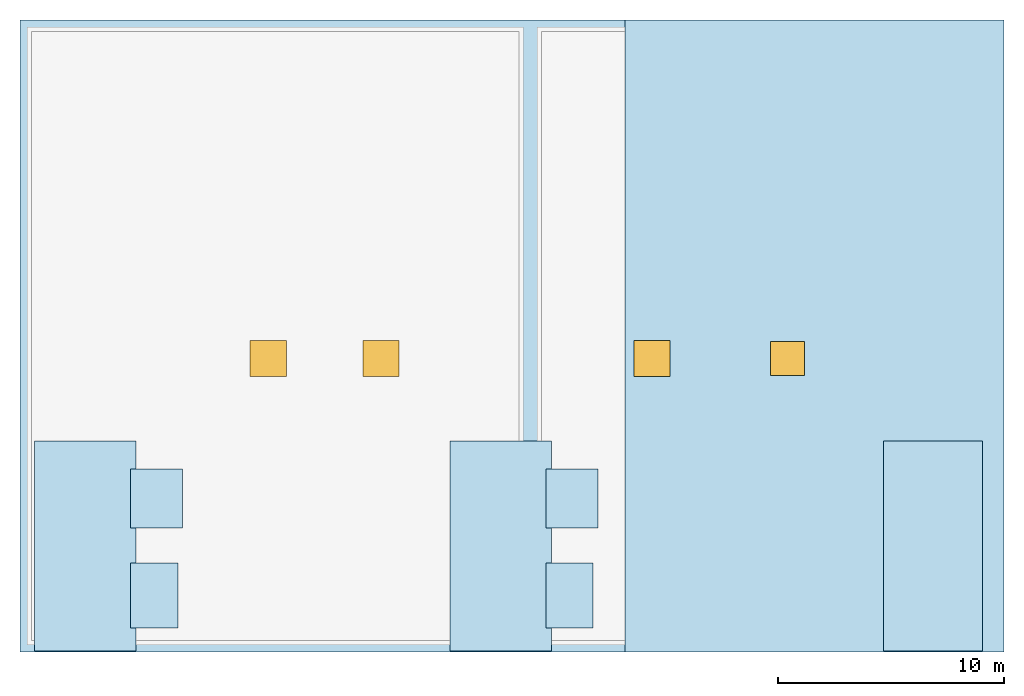
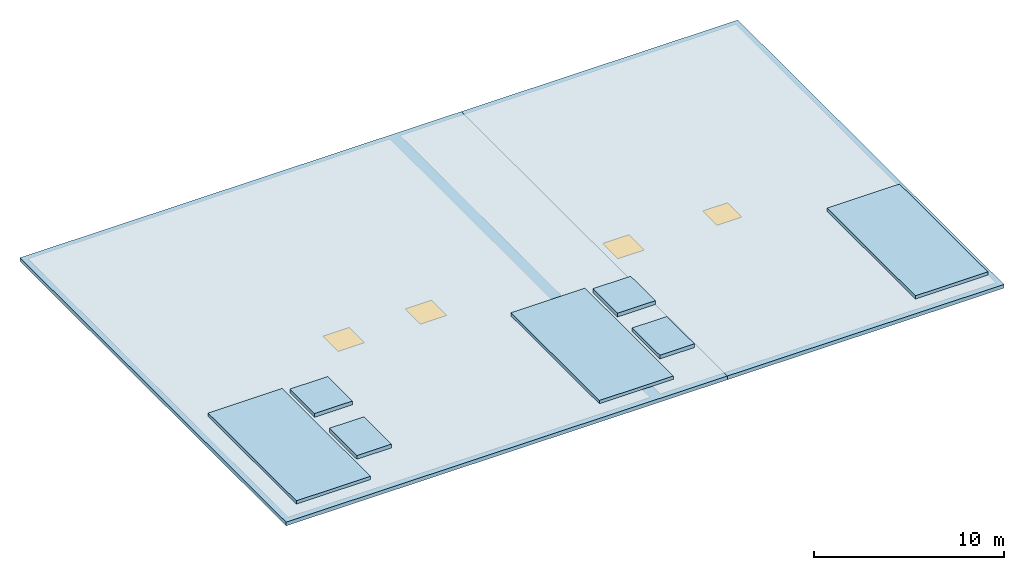
# One storey, part 1 of 2: 9 slabs, 4 windows, 4 openings.
"""IFC4 building model written with IfcOpenShell, lengths in metres."""

from ifc_helpers import new_model, si_unit, direction, frame, origin, origin_2d, place, context, subcontext, project, spatial, polyline, rectangle, outline, extrude, material, layer, layer_set, type_object, element, fill, save


model = new_model("IFC4")

# Units and contexts
model_context = context("Model", 3, precision=1e-05, world=origin(), true_north=direction((0.0, 1.0)))
body_context = subcontext(model_context, "Body", "Model", "MODEL_VIEW")
ifc_project = project(units=[si_unit("LENGTHUNIT", "METRE"), si_unit("AREAUNIT", "SQUARE_METRE"), si_unit("VOLUMEUNIT", "CUBIC_METRE"), si_unit("PLANEANGLEUNIT", "RADIAN"), si_unit("MASSUNIT", "GRAM", prefix="KILO")], contexts=[model_context])

# Site, building, storey
site_placement = place(None, origin())
site = spatial("IfcSite", under=ifc_project, at=site_placement, CompositionType="ELEMENT")
building_placement = place(site_placement, origin())
building = spatial("IfcBuilding", under=site, at=building_placement, Name="Sitalva Quay Ferry Terminal", CompositionType="ELEMENT")
storey_placement = place(building_placement, frame((0.0, 0.0, 22.800048828125)))
storey = spatial("IfcBuildingStorey", under=building, at=storey_placement, Name="RF", CompositionType="ELEMENT", Elevation=22.800048828125)

# Slab, openings, windows
ifc_material_1 = material(Name="Concrete C35/45", Category="concrete")
ifc_layer_1 = layer(ifc_material_1, 0.239990234375)
ifc_layer_set_1 = layer_set([ifc_layer_1], Name="Concrete C35/45")
slab_type_1 = type_object("IfcSlabType", Name="Slab_FlatRoof_240", PredefinedType="ROOF", material=ifc_layer_set_1)
slab_1_placement = place(storey_placement, frame((0.0, 0.0, -0.239990234375)))
slab_1 = element("IfcSlab", 1, at=slab_1_placement, inside=storey, type_object=slab_type_1, Name="RF High roof west 068", PredefinedType="ROOF", context=body_context, shape_type="SweptSolid", body=[
    extrude(outline(polyline([(74.0, 78.0), (100.800048828125, 78.0), (100.800048828125, 106.0), (74.0, 106.0), (74.0, 78.0)])), origin(), (0.0, 0.0, 1.0), 0.239990234375),
])
opening_1_placement = place(slab_1_placement, frame((85.0, 91.0, 0.0)))
opening_1 = element("IfcOpeningElement", 2, at=opening_1_placement, cuts=slab_1, Name="Opening SK-01", PredefinedType="OPENING", context=body_context, shape_type="SweptSolid", body=[
    extrude(rectangle(XDim=1.60009765625, YDim=1.60009765625, at=origin_2d()), frame((0.0, 0.0, -0.010009765625)), (0.0, 0.0, 1.0), 0.260009765625),
])
opening_2_placement = place(slab_1_placement, frame((90.0, 91.0, 0.0)))
opening_2 = element("IfcOpeningElement", 3, at=opening_2_placement, cuts=slab_1, Name="Opening SK-02", PredefinedType="OPENING", context=body_context, shape_type="SweptSolid", body=[
    extrude(rectangle(XDim=1.60009765625, YDim=1.60009765625, at=origin_2d()), frame((0.0, 0.0, -0.010009765625)), (0.0, 0.0, 1.0), 0.260009765625),
])
ifc_material_2 = material(Name="Triple-Glazed Roof Hatch Skylight", Category="glass")
window_type_1 = type_object("IfcWindowType", Name="Skylight_RoofHatch_1600x1600", PartitioningType="SINGLE_PANEL", PredefinedType="SKYLIGHT", material=ifc_material_2)
window_1_placement = place(opening_1_placement, frame((0.0, 0.0, 0.18994140625)))
window_1 = element("IfcWindow", 4, at=window_1_placement, inside=storey, type_object=window_type_1, Name="Roof daylight skylight SK-01", OverallHeight=1.60009765625, OverallWidth=1.60009765625, PartitioningType="SINGLE_PANEL", PredefinedType="SKYLIGHT", context=body_context, shape_type="SweptSolid", body=[
    extrude(rectangle(XDim=1.60009765625, YDim=1.60009765625, at=origin_2d()), origin(), (0.0, 0.0, 1.0), 0.050048828125),
])
fill(opening_1, window_1)
window_2_placement = place(opening_2_placement, frame((0.0, 0.0, 0.18994140625)))
window_2 = element("IfcWindow", 5, at=window_2_placement, inside=storey, type_object=window_type_1, Name="Roof daylight skylight SK-02", OverallHeight=1.60009765625, OverallWidth=1.60009765625, PartitioningType="SINGLE_PANEL", PredefinedType="SKYLIGHT", context=body_context, shape_type="SweptSolid", body=[
    extrude(rectangle(XDim=1.60009765625, YDim=1.60009765625, at=origin_2d()), origin(), (0.0, 0.0, 1.0), 0.050048828125),
])
fill(opening_2, window_2)

slab_2_placement = place(storey_placement, frame((0.0, 0.0, -0.239990234375)))
slab_2 = element("IfcSlab", 6, at=slab_2_placement, inside=storey, type_object=slab_type_1, Name="RF High roof east 069", PredefinedType="ROOF", context=body_context, shape_type="SweptSolid", body=[
    extrude(outline(polyline([(100.800048828125, 78.0), (117.60009765625, 78.0), (117.60009765625, 106.0), (100.800048828125, 106.0), (100.800048828125, 78.0)])), origin(), (0.0, 0.0, 1.0), 0.239990234375),
])
opening_3_placement = place(slab_2_placement, frame((102.0, 91.0, 0.0)))
opening_3 = element("IfcOpeningElement", 7, at=opening_3_placement, cuts=slab_2, Name="Opening SK-03", PredefinedType="OPENING", context=body_context, shape_type="SweptSolid", body=[
    extrude(rectangle(XDim=1.60009765625, YDim=1.60009765625, at=origin_2d()), frame((0.0, 0.0, -0.010009765625)), (0.0, 0.0, 1.0), 0.260009765625),
])
opening_4_placement = place(slab_2_placement, frame((108.0, 91.0, 0.0)))
opening_4 = element("IfcOpeningElement", 8, at=opening_4_placement, cuts=slab_2, Name="Opening SK-04", PredefinedType="OPENING", context=body_context, shape_type="SweptSolid", body=[
    extrude(rectangle(XDim=1.5, YDim=1.5, at=origin_2d()), frame((0.0, 0.0, -0.010009765625)), (0.0, 0.0, 1.0), 0.260009765625),
])
ifc_material_3 = material(Name="Triple-Glazed Roof Hatch Skylight", Category="glass")
window_type_2 = type_object("IfcWindowType", Name="Skylight_HatchB_1500x1500", PartitioningType="SINGLE_PANEL", PredefinedType="SKYLIGHT", material=ifc_material_3)
window_3_placement = place(opening_4_placement, frame((0.0, 0.0, 0.18994140625)))
window_3 = element("IfcWindow", 9, at=window_3_placement, inside=storey, type_object=window_type_2, Name="Roof daylight skylight SK-04", OverallHeight=1.5, OverallWidth=1.5, PartitioningType="SINGLE_PANEL", PredefinedType="SKYLIGHT", context=body_context, shape_type="SweptSolid", body=[
    extrude(rectangle(XDim=1.5, YDim=1.5, at=origin_2d()), origin(), (0.0, 0.0, 1.0), 0.050048828125),
])
fill(opening_4, window_3)
window_4_placement = place(opening_3_placement, frame((0.0, 0.0, 0.18994140625)))
window_4 = element("IfcWindow", 10, at=window_4_placement, inside=storey, type_object=window_type_1, Name="Roof daylight skylight SK-03", OverallHeight=1.60009765625, OverallWidth=1.60009765625, PartitioningType="SINGLE_PANEL", PredefinedType="SKYLIGHT", context=body_context, shape_type="SweptSolid", body=[
    extrude(rectangle(XDim=1.60009765625, YDim=1.60009765625, at=origin_2d()), origin(), (0.0, 0.0, 1.0), 0.050048828125),
])
fill(opening_3, window_4)

# Slabs
ifc_material_4 = material(Name="Concrete C35/45", Category="concrete")
ifc_layer_2 = layer(ifc_material_4, 0.2099609375)
ifc_layer_set_2 = layer_set([ifc_layer_2], Name="Concrete C35/45")
slab_type_2 = type_object("IfcSlabType", Name="Slab_HeadhouseRoof_210", PredefinedType="ROOF", material=ifc_layer_set_2)
slab_3_placement = place(storey_placement, frame((0.0, 0.0, 0.89990234375)))
element("IfcSlab", 11, at=slab_3_placement, inside=storey, type_object=slab_type_2, Name="Core C1 stair headhouse roof slab", PredefinedType="ROOF", context=body_context, shape_type="SweptSolid", body=[
    extrude(outline(polyline([(74.64990234375, 78.050048828125), (79.14990234375, 78.050048828125), (79.14990234375, 87.35009765625), (74.64990234375, 87.35009765625), (74.64990234375, 78.050048828125)])), origin(), (0.0, 0.0, 1.0), 0.2099609375),
])
slab_4_placement = place(storey_placement, frame((0.0, 0.0, 0.89990234375)))
element("IfcSlab", 12, at=slab_4_placement, inside=storey, type_object=slab_type_2, Name="Core C2 stair headhouse roof slab", PredefinedType="ROOF", context=body_context, shape_type="SweptSolid", body=[
    extrude(outline(polyline([(93.050048828125, 78.050048828125), (97.550048828125, 78.050048828125), (97.550048828125, 87.35009765625), (93.050048828125, 87.35009765625), (93.050048828125, 78.050048828125)])), origin(), (0.0, 0.0, 1.0), 0.2099609375),
])
slab_5_placement = place(storey_placement, frame((0.0, 0.0, 0.89990234375)))
element("IfcSlab", 13, at=slab_5_placement, inside=storey, type_object=slab_type_2, Name="Core C4 stair headhouse roof slab", PredefinedType="ROOF", context=body_context, shape_type="SweptSolid", body=[
    extrude(outline(polyline([(112.25, 78.050048828125), (116.64990234375, 78.050048828125), (116.64990234375, 87.35009765625), (112.25, 87.35009765625), (112.25, 78.050048828125)])), origin(), (0.0, 0.0, 1.0), 0.2099609375),
])
ifc_material_5 = material(Name="Concrete C35/45", Category="concrete")
ifc_layer_3 = layer(ifc_material_5, 0.195068359375)
ifc_layer_set_3 = layer_set([ifc_layer_3], Name="Concrete C35/45")
slab_type_3 = type_object("IfcSlabType", Name="Slab_OverrunRoof_195", PredefinedType="ROOF", material=ifc_layer_set_3)
slab_6_placement = place(storey_placement, frame((0.0, 0.0, 1.679931640625)))
element("IfcSlab", 14, at=slab_6_placement, inside=storey, type_object=slab_type_3, Name="Lift LF-01 overrun roof cap", PredefinedType="ROOF", context=body_context, shape_type="SweptSolid", body=[
    extrude(outline(polyline([(78.89990234375, 79.050048828125), (81.0, 79.050048828125), (81.0, 81.949951171875), (78.89990234375, 81.949951171875), (78.89990234375, 79.050048828125)])), origin(), (0.0, 0.0, 1.0), 0.239990234375),
])
slab_7_placement = place(storey_placement, frame((0.0, 0.0, 1.679931640625)))
element("IfcSlab", 15, at=slab_7_placement, inside=storey, type_object=slab_type_3, Name="Lift LF-03 overrun roof cap", PredefinedType="ROOF", context=body_context, shape_type="SweptSolid", body=[
    extrude(outline(polyline([(78.89990234375, 83.5), (81.199951171875, 83.5), (81.199951171875, 86.10009765625), (78.89990234375, 86.10009765625), (78.89990234375, 83.5)])), origin(), (0.0, 0.0, 1.0), 0.239990234375),
])
slab_8_placement = place(storey_placement, frame((0.0, 0.0, 1.679931640625)))
element("IfcSlab", 16, at=slab_8_placement, inside=storey, type_object=slab_type_3, Name="Lift LF-02 overrun roof cap", PredefinedType="ROOF", context=body_context, shape_type="SweptSolid", body=[
    extrude(outline(polyline([(97.300048828125, 79.050048828125), (99.39990234375, 79.050048828125), (99.39990234375, 81.949951171875), (97.300048828125, 81.949951171875), (97.300048828125, 79.050048828125)])), origin(), (0.0, 0.0, 1.0), 0.239990234375),
])
slab_9_placement = place(storey_placement, frame((0.0, 0.0, 1.679931640625)))
element("IfcSlab", 17, at=slab_9_placement, inside=storey, type_object=slab_type_3, Name="Lift LF-04 overrun roof cap", PredefinedType="ROOF", context=body_context, shape_type="SweptSolid", body=[
    extrude(outline(polyline([(97.300048828125, 83.5), (99.60009765625, 83.5), (99.60009765625, 86.10009765625), (97.300048828125, 86.10009765625), (97.300048828125, 83.5)])), origin(), (0.0, 0.0, 1.0), 0.239990234375),
])

save(model, "model.ifc")
